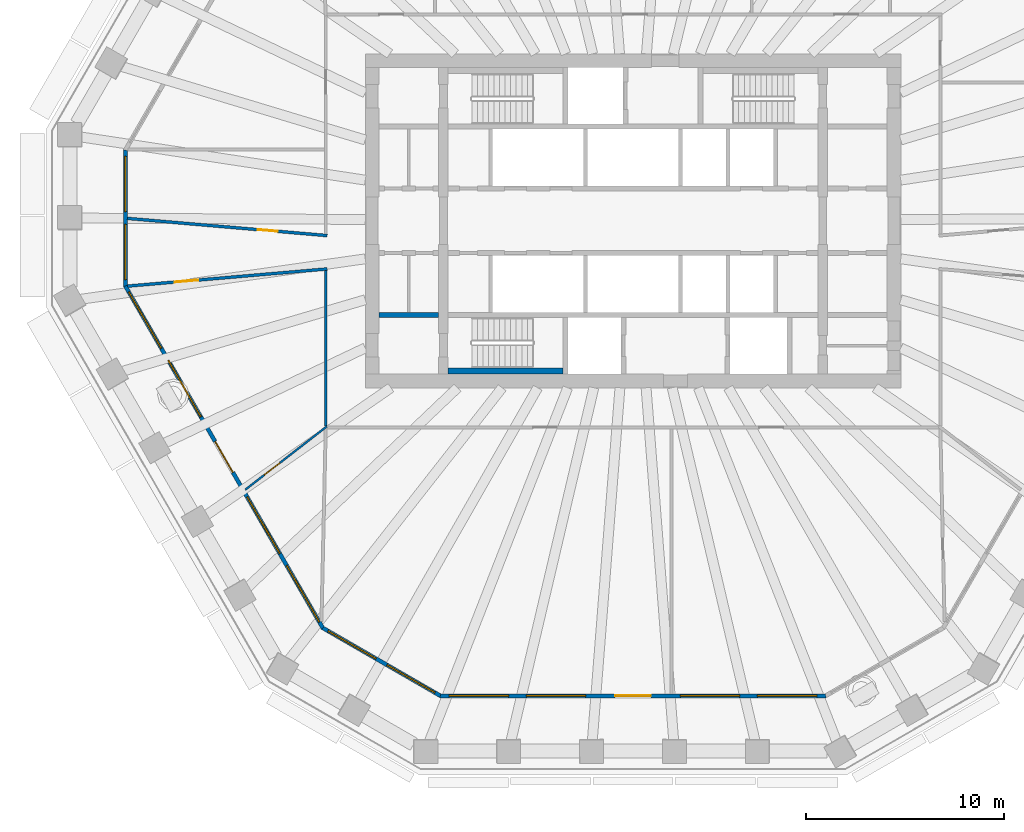
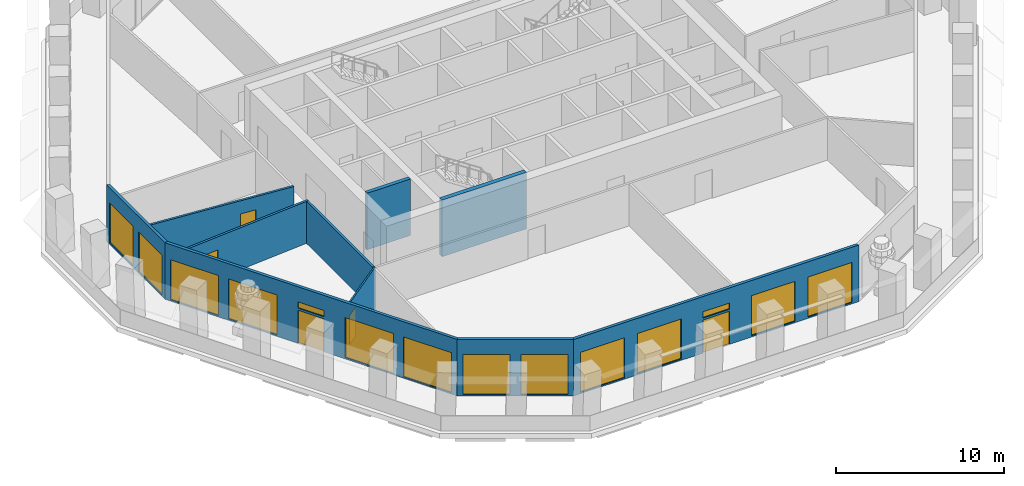
# One storey, part 3 of 12: 14 windows, 10 walls, 5 doors, 19 openings.
"""IFC4 building model written with IfcOpenShell, lengths in metres."""

from ifc_helpers import new_model, si_unit, direction, frame, frame_2d, origin, place, context, subcontext, project, spatial, polyline, rectangle, outline, extrude, material, layer, layer_set, type_object, element, fill, save


model = new_model("IFC4")

# Units and contexts
model_context = context("Model", 3, precision=1e-05, world=origin(), true_north=direction((0.0, 1.0)))
body_context = subcontext(model_context, "Body", "Model", "MODEL_VIEW")
ifc_project = project(units=[si_unit("LENGTHUNIT", "METRE"), si_unit("AREAUNIT", "SQUARE_METRE"), si_unit("VOLUMEUNIT", "CUBIC_METRE"), si_unit("PLANEANGLEUNIT", "RADIAN"), si_unit("MASSUNIT", "GRAM", prefix="KILO")], contexts=[model_context])

# Site, building, storey
site_placement = place(None, origin())
site = spatial("IfcSite", under=ifc_project, at=site_placement, CompositionType="ELEMENT")
building_placement = place(site_placement, origin())
building = spatial("IfcBuilding", under=site, at=building_placement, Name="Frailejon Research Tower", CompositionType="ELEMENT")
storey_placement = place(building_placement, frame((0.0, 0.0, 149.60009765625)))
storey = spatial("IfcBuildingStorey", under=building, at=storey_placement, Name="L32", CompositionType="ELEMENT", Elevation=149.60009765625)

# Wall
ifc_material_1 = material(Name="Gypsum board and masonry partition", Category="masonry")
ifc_layer_1 = layer(ifc_material_1, 0.14990234375)
ifc_layer_set_1 = layer_set([ifc_layer_1], Name="Corridor wall EI 60, gypsum on steel studs 150")
wall_type_1 = type_object("IfcWallType", Name="Corridor wall EI 60, gypsum on steel studs 150", PredefinedType="PARTITIONING", material=ifc_layer_set_1)
wall_1_placement = place(storey_placement, frame((-15.550048828125, -10.375, 0.0), z_axis=(0.0, 0.0, 1.0), x_axis=(0.0, 1.0, 0.0)))
element("IfcWall", 1, at=wall_1_placement, inside=storey, type_object=wall_type_1, Name="T:IW:L32:004", PredefinedType="PARTITIONING", context=body_context, shape_type="SweptSolid", body=[
    extrude(rectangle(XDim=7.856201171875, YDim=0.14990234375, at=frame_2d((3.92822265625, 0.0))), origin(), (0.0, 0.0, 1.0), 3.0498046875),
])

# Wall, opening, door
wall_2_placement = place(storey_placement, frame((-25.592529296875, 0.12109375, 0.0), z_axis=(0.0, 0.0, 1.0), x_axis=(0.99631178891, -0.085806871974, 0.0)))
wall_2 = element("IfcWall", 2, at=wall_2_placement, inside=storey, type_object=wall_type_1, Name="T:IW:L32:007", PredefinedType="PARTITIONING", context=body_context, shape_type="SweptSolid", body=[
    extrude(rectangle(XDim=10.154541015625, YDim=0.14990234375, at=frame_2d((5.0771484375, 0.0))), origin(), (0.0, 0.0, 1.0), 3.0498046875),
])
opening_1_placement = place(wall_2_placement, frame((6.635009765625, 0.0, 0.0)))
opening_1 = element("IfcOpeningElement", 3, at=opening_1_placement, cuts=wall_2, Name="Opening D1714", PredefinedType="OPENING", context=body_context, shape_type="SweptSolid", body=[
    extrude(rectangle(XDim=1.0, YDim=2.10009765625, at=frame_2d((0.5, 1.050048828125))), frame((0.0, 0.0849609375, 0.0), z_axis=(0.0, -1.0, 0.0), x_axis=(1.0, 0.0, 0.0)), (0.0, 0.0, 1.0), 0.169921875),
])
ifc_material_2 = material(Name="Timber door leaf", Category="wood")
door_type_1 = type_object("IfcDoorType", Name="Door single leaf, timber, steel frame 1000", OperationType="NOTDEFINED", PredefinedType="DOOR", material=ifc_material_2)
door_1_placement = place(opening_1_placement, origin())
door_1 = element("IfcDoor", 4, at=door_1_placement, inside=storey, type_object=door_type_1, Name="D1714", OperationType="SINGLE_SWING_RIGHT", OverallHeight=2.10009765625, OverallWidth=1.0, PredefinedType="DOOR", context=body_context, shape_type="SweptSolid", body=[
    extrude(rectangle(XDim=1.0, YDim=2.10009765625, at=frame_2d((0.5, 1.050048828125))), frame((0.0, 0.02490234375, 0.0), z_axis=(0.0, -1.0, 0.0), x_axis=(1.0, 0.0, 0.0)), (0.0, 0.0, 1.0), 0.050048828125),
])
fill(opening_1, door_1)

wall_3_placement = place(storey_placement, frame((-25.572509765625, -3.306884765625, 0.0), z_axis=(0.0, 0.0, 1.0), x_axis=(0.99631166079, 0.085808359585, 0.0)))
wall_3 = element("IfcWall", 5, at=wall_3_placement, inside=storey, type_object=wall_type_1, Name="T:IW:L32:008", PredefinedType="PARTITIONING", context=body_context, shape_type="SweptSolid", body=[
    extrude(rectangle(XDim=10.134521484375, YDim=0.14990234375, at=frame_2d((5.0673828125, 0.0))), origin(), (0.0, 0.0, 1.0), 3.0498046875),
])
opening_2_placement = place(wall_3_placement, frame((2.389892578125, 0.0, 0.0)))
opening_2 = element("IfcOpeningElement", 6, at=opening_2_placement, cuts=wall_3, Name="Opening D1715", PredefinedType="OPENING", context=body_context, shape_type="SweptSolid", body=[
    extrude(rectangle(XDim=1.199951171875, YDim=2.10009765625, at=frame_2d((0.60009765625, 1.050048828125))), frame((0.0, 0.0849609375, 0.0), z_axis=(0.0, -1.0, 0.0), x_axis=(1.0, 0.0, 0.0)), (0.0, 0.0, 1.0), 0.169921875),
])
ifc_material_3 = material(Name="Timber door leaf", Category="wood")
door_type_2 = type_object("IfcDoorType", Name="Door single leaf, timber, steel frame 1200", OperationType="NOTDEFINED", PredefinedType="DOOR", material=ifc_material_3)
door_2_placement = place(opening_2_placement, origin())
door_2 = element("IfcDoor", 7, at=door_2_placement, inside=storey, type_object=door_type_2, Name="D1715", OperationType="DOUBLE_DOOR_SINGLE_SWING", OverallHeight=2.10009765625, OverallWidth=1.199951171875, PredefinedType="DOOR", context=body_context, shape_type="SweptSolid", body=[
    extrude(rectangle(XDim=1.199951171875, YDim=2.10009765625, at=frame_2d((0.60009765625, 1.050048828125))), frame((0.0, 0.02490234375, 0.0), z_axis=(0.0, -1.0, 0.0), x_axis=(1.0, 0.0, 0.0)), (0.0, 0.0, 1.0), 0.050048828125),
])
fill(opening_2, door_2)

ifc_material_4 = material(Name="Gypsum board and masonry partition", Category="masonry")
ifc_layer_2 = layer(ifc_material_4, 0.10009765625)
ifc_layer_set_2 = layer_set([ifc_layer_2], Name="Partition, gypsum on steel studs 100")
wall_type_2 = type_object("IfcWallType", Name="Partition, gypsum on steel studs 100", PredefinedType="PARTITIONING", material=ifc_layer_set_2)
wall_4_placement = place(storey_placement, frame((-19.62353515625, -13.611083984375, 0.0), z_axis=(0.0, 0.0, 1.0), x_axis=(0.790035268908, 0.613061394871, 0.0)))
wall_4 = element("IfcWall", 8, at=wall_4_placement, inside=storey, type_object=wall_type_2, Name="T:IW:L32:021", PredefinedType="PARTITIONING", context=body_context, shape_type="SweptSolid", body=[
    extrude(rectangle(XDim=5.231201171875, YDim=0.10009765625, at=frame_2d((2.61572265625, 0.0))), origin(), (0.0, 0.0, 1.0), 3.0498046875),
])
opening_3_placement = place(wall_4_placement, frame((1.214111328125, 0.0, 0.0)))
opening_3 = element("IfcOpeningElement", 9, at=opening_3_placement, cuts=wall_4, Name="Opening D1716", PredefinedType="OPENING", context=body_context, shape_type="SweptSolid", body=[
    extrude(rectangle(XDim=1.0, YDim=2.10009765625, at=frame_2d((0.5, 1.050048828125))), frame((0.0, 0.06005859375, 0.0), z_axis=(0.0, -1.0, 0.0), x_axis=(1.0, 0.0, 0.0)), (0.0, 0.0, 1.0), 0.1201171875),
])
door_3_placement = place(opening_3_placement, origin())
door_3 = element("IfcDoor", 10, at=door_3_placement, inside=storey, type_object=door_type_1, Name="D1716", OperationType="SINGLE_SWING_RIGHT", OverallHeight=2.10009765625, OverallWidth=1.0, PredefinedType="DOOR", context=body_context, shape_type="SweptSolid", body=[
    extrude(rectangle(XDim=1.0, YDim=2.10009765625, at=frame_2d((0.5, 1.050048828125))), frame((0.0, 0.02490234375, 0.0), z_axis=(0.0, -1.0, 0.0), x_axis=(1.0, 0.0, 0.0)), (0.0, 0.0, 1.0), 0.050048828125),
])
fill(opening_3, door_3)

# Walls
ifc_material_5 = material(Name="Concrete C60/75", Category="concrete")
ifc_layer_3 = layer(ifc_material_5, 0.25)
ifc_layer_set_3 = layer_set([ifc_layer_3], Name="Shaft wall 250 C60/75")
wall_type_3 = type_object("IfcWallType", Name="Shaft wall 250 C60/75", PredefinedType="SOLIDWALL", material=ifc_layer_set_3)
wall_5_placement = place(storey_placement, frame((-12.85009765625, -4.77490234375, 0.0), z_axis=(0.0, 0.0, 1.0), x_axis=(1.0, 0.0, 0.0)))
element("IfcWall", 11, at=wall_5_placement, inside=storey, type_object=wall_type_3, Name="Shaft wall", PredefinedType="SOLIDWALL", context=body_context, shape_type="SweptSolid", body=[
    extrude(rectangle(XDim=3.0, YDim=0.25, at=frame_2d((1.5, 0.0))), origin(), (0.0, 0.0, 1.0), 4.099853515625),
])
ifc_material_6 = material(Name="Concrete C60/75", Category="concrete")
ifc_layer_4 = layer(ifc_material_6, 0.300048828125)
ifc_layer_set_4 = layer_set([ifc_layer_4], Name="Shaft wall 300 C60/75")
wall_type_4 = type_object("IfcWallType", Name="Shaft wall 300 C60/75", PredefinedType="SOLIDWALL", material=ifc_layer_set_4)
wall_6_placement = place(storey_placement, frame((-9.35009765625, -7.60009765625, 0.0), z_axis=(0.0, 0.0, 1.0), x_axis=(1.0, 0.0, 0.0)))
element("IfcWall", 12, at=wall_6_placement, inside=storey, type_object=wall_type_4, Name="Shaft wall", PredefinedType="SOLIDWALL", context=body_context, shape_type="SweptSolid", body=[
    extrude(rectangle(XDim=5.800048828125, YDim=0.300048828125, at=frame_2d((2.89990234375, 0.0))), origin(), (0.0, 0.0, 1.0), 4.099853515625),
])

# Wall, openings, windows
ifc_material_7 = material(Name="Concrete C40/50 precast window wall panel", Category="concrete")
ifc_layer_5 = layer(ifc_material_7, 0.199951171875)
ifc_layer_set_5 = layer_set([ifc_layer_5], Name="Window wall 200")
wall_type_5 = type_object("IfcWallType", Name="Window wall 200", PredefinedType="SOLIDWALL", material=ifc_layer_set_5)
wall_7_placement = place(storey_placement, frame((-25.692626953125, 3.57568359375, 0.0), z_axis=(0.0, 0.0, 1.0), x_axis=(0.0, -1.0, 0.0)))
wall_7 = element("IfcWall", 13, at=wall_7_placement, inside=storey, type_object=wall_type_5, Name="Exterior wall L32", PredefinedType="SOLIDWALL", context=body_context, shape_type="SweptSolid", body=[
    extrude(outline(polyline([(-0.02685546875, -0.10009765625), (1.1279296875, -0.10009765625), (2.28271484375, -0.10009765625), (3.4375, -0.10009765625), (4.592041015625, -0.10009765625), (5.746826171875, -0.10009765625), (6.901611328125, -0.10009765625), (6.847900390625, 0.10009765625), (5.7109375, 0.10009765625), (4.57421875, 0.10009765625), (3.4375, 0.10009765625), (2.300537109375, 0.10009765625), (1.16357421875, 0.10009765625), (0.02685546875, 0.10009765625), (-0.02685546875, -0.10009765625)])), origin(), (0.0, 0.0, 1.0), 4.099853515625),
])
opening_4_placement = place(wall_7_placement, frame((0.318603515625, 0.0, 0.10009765625)))
opening_4 = element("IfcOpeningElement", 14, at=opening_4_placement, cuts=wall_7, Name="Opening W3", PredefinedType="OPENING", context=body_context, shape_type="SweptSolid", body=[
    extrude(rectangle(XDim=2.800048828125, YDim=2.89990234375, at=frame_2d((1.39990234375, 1.449951171875))), frame((0.0, 0.10986328125, 0.0), z_axis=(0.0, -1.0, 0.0), x_axis=(1.0, 0.0, 0.0)), (0.0, 0.0, 1.0), 0.219970703125),
])
opening_5_placement = place(wall_7_placement, frame((3.756103515625, 0.0, 0.10009765625)))
opening_5 = element("IfcOpeningElement", 15, at=opening_5_placement, cuts=wall_7, Name="Opening W3", PredefinedType="OPENING", context=body_context, shape_type="SweptSolid", body=[
    extrude(rectangle(XDim=2.800048828125, YDim=2.89990234375, at=frame_2d((1.39990234375, 1.449951171875))), frame((0.0, 0.10986328125, 0.0), z_axis=(0.0, -1.0, 0.0), x_axis=(1.0, 0.0, 0.0)), (0.0, 0.0, 1.0), 0.219970703125),
])
ifc_material_8 = material(Name="Aluminium framed double glazing", Category="aluminium")
window_type_1 = type_object("IfcWindowType", Name="Window 2800x2900", PartitioningType="SINGLE_PANEL", PredefinedType="WINDOW", material=ifc_material_8)
window_1_placement = place(opening_4_placement, origin())
window_1 = element("IfcWindow", 16, at=window_1_placement, inside=storey, type_object=window_type_1, Name="Window L32", OverallHeight=2.89990234375, OverallWidth=2.800048828125, PartitioningType="SINGLE_PANEL", PredefinedType="WINDOW", context=body_context, shape_type="SweptSolid", body=[
    extrude(rectangle(XDim=2.800048828125, YDim=2.89990234375, at=frame_2d((1.39990234375, 1.449951171875))), frame((0.0, 0.030029296875, 0.0), z_axis=(0.0, -1.0, 0.0), x_axis=(1.0, 0.0, 0.0)), (0.0, 0.0, 1.0), 0.06005859375),
])
fill(opening_4, window_1)
window_2_placement = place(opening_5_placement, origin())
window_2 = element("IfcWindow", 17, at=window_2_placement, inside=storey, type_object=window_type_1, Name="Window L32", OverallHeight=2.89990234375, OverallWidth=2.800048828125, PartitioningType="SINGLE_PANEL", PredefinedType="WINDOW", context=body_context, shape_type="SweptSolid", body=[
    extrude(rectangle(XDim=2.800048828125, YDim=2.89990234375, at=frame_2d((1.39990234375, 1.449951171875))), frame((0.0, 0.030029296875, 0.0), z_axis=(0.0, -1.0, 0.0), x_axis=(1.0, 0.0, 0.0)), (0.0, 0.0, 1.0), 0.06005859375),
])
fill(opening_5, window_2)

# Wall, openings, door, windows
wall_8_placement = place(storey_placement, frame((-25.692626953125, -3.299072265625, 0.0), z_axis=(0.0, 0.0, 1.0), x_axis=(0.499997834957, -0.866026653769, 0.0)))
wall_8 = element("IfcWall", 18, at=wall_8_placement, inside=storey, type_object=wall_type_5, Name="Exterior wall L32", PredefinedType="SOLIDWALL", context=body_context, shape_type="SweptSolid", body=[
    extrude(outline(polyline([(-0.02685546875, -0.10009765625), (1.027587890625, -0.10009765625), (2.081787109375, -0.10009765625), (3.13623046875, -0.10009765625), (4.1904296875, -0.10009765625), (5.244873046875, -0.10009765625), (6.299072265625, -0.10009765625), (7.353515625, -0.10009765625), (8.40771484375, -0.10009765625), (9.462158203125, -0.10009765625), (10.516357421875, -0.10009765625), (11.57080078125, -0.10009765625), (12.625, -0.10009765625), (13.679443359375, -0.10009765625), (14.733642578125, -0.10009765625), (15.7880859375, -0.10009765625), (16.84228515625, -0.10009765625), (17.896728515625, -0.10009765625), (18.950927734375, -0.10009765625), (20.00537109375, -0.10009765625), (19.95166015625, 0.10009765625), (18.903076171875, 0.10009765625), (17.854248046875, 0.10009765625), (16.8056640625, 0.10009765625), (15.757080078125, 0.10009765625), (14.708251953125, 0.10009765625), (13.65966796875, 0.10009765625), (12.61083984375, 0.10009765625), (11.562255859375, 0.10009765625), (10.513671875, 0.10009765625), (9.46484375, 0.10009765625), (8.416259765625, 0.10009765625), (7.36767578125, 0.10009765625), (6.31884765625, 0.10009765625), (5.270263671875, 0.10009765625), (4.221435546875, 0.10009765625), (3.1728515625, 0.10009765625), (2.124267578125, 0.10009765625), (1.075439453125, 0.10009765625), (0.02685546875, 0.10009765625), (-0.02685546875, -0.10009765625)])), origin(), (0.0, 0.0, 1.0), 4.099853515625),
])
opening_6_placement = place(wall_8_placement, frame((0.347900390625, 0.0, 0.10009765625)))
opening_6 = element("IfcOpeningElement", 19, at=opening_6_placement, cuts=wall_8, Name="Opening W5", PredefinedType="OPENING", context=body_context, shape_type="SweptSolid", body=[
    extrude(rectangle(XDim=3.300048828125, YDim=2.89990234375, at=frame_2d((1.64990234375, 1.449951171875))), frame((0.0, 0.10986328125, 0.0), z_axis=(0.0, -1.0, 0.0), x_axis=(1.0, 0.0, 0.0)), (0.0, 0.0, 1.0), 0.219970703125),
])
opening_7_placement = place(wall_8_placement, frame((4.343505859375, 0.0, 0.10009765625)))
opening_7 = element("IfcOpeningElement", 20, at=opening_7_placement, cuts=wall_8, Name="Opening W5", PredefinedType="OPENING", context=body_context, shape_type="SweptSolid", body=[
    extrude(rectangle(XDim=3.300048828125, YDim=2.89990234375, at=frame_2d((1.64990234375, 1.449951171875))), frame((0.0, 0.10986328125, 0.0), z_axis=(0.0, -1.0, 0.0), x_axis=(1.0, 0.0, 0.0)), (0.0, 0.0, 1.0), 0.219970703125),
])
opening_8_placement = place(wall_8_placement, frame((9.08935546875, 0.0, 0.0)))
opening_8 = element("IfcOpeningElement", 21, at=opening_8_placement, cuts=wall_8, Name="Opening LG32-4", PredefinedType="OPENING", context=body_context, shape_type="SweptSolid", body=[
    extrude(rectangle(XDim=1.800048828125, YDim=2.39990234375, at=frame_2d((0.89990234375, 1.199951171875))), frame((0.0, 0.10986328125, 0.0), z_axis=(0.0, -1.0, 0.0), x_axis=(1.0, 0.0, 0.0)), (0.0, 0.0, 1.0), 0.219970703125),
])
opening_9_placement = place(wall_8_placement, frame((9.08935546875, 0.0, 2.550048828125)))
opening_9 = element("IfcOpeningElement", 22, at=opening_9_placement, cuts=wall_8, Name="Opening W1", PredefinedType="OPENING", context=body_context, shape_type="SweptSolid", body=[
    extrude(rectangle(XDim=1.800048828125, YDim=0.449951171875, at=frame_2d((0.89990234375, 0.22509765625))), frame((0.0, 0.10986328125, 0.0), z_axis=(0.0, -1.0, 0.0), x_axis=(1.0, 0.0, 0.0)), (0.0, 0.0, 1.0), 0.219970703125),
])
opening_10_placement = place(wall_8_placement, frame((12.3349609375, 0.0, 0.10009765625)))
opening_10 = element("IfcOpeningElement", 23, at=opening_10_placement, cuts=wall_8, Name="Opening W5", PredefinedType="OPENING", context=body_context, shape_type="SweptSolid", body=[
    extrude(rectangle(XDim=3.300048828125, YDim=2.89990234375, at=frame_2d((1.64990234375, 1.449951171875))), frame((0.0, 0.10986328125, 0.0), z_axis=(0.0, -1.0, 0.0), x_axis=(1.0, 0.0, 0.0)), (0.0, 0.0, 1.0), 0.219970703125),
])
opening_11_placement = place(wall_8_placement, frame((16.330810546875, 0.0, 0.10009765625)))
opening_11 = element("IfcOpeningElement", 24, at=opening_11_placement, cuts=wall_8, Name="Opening W5", PredefinedType="OPENING", context=body_context, shape_type="SweptSolid", body=[
    extrude(rectangle(XDim=3.300048828125, YDim=2.89990234375, at=frame_2d((1.64990234375, 1.449951171875))), frame((0.0, 0.10986328125, 0.0), z_axis=(0.0, -1.0, 0.0), x_axis=(1.0, 0.0, 0.0)), (0.0, 0.0, 1.0), 0.219970703125),
])
ifc_material_9 = material(Name="Aluminium framed glazed door leaf", Category="aluminium")
door_type_3 = type_object("IfcDoorType", Name="Loggia door 1800x2400", OperationType="DOUBLE_DOOR_SINGLE_SWING", PredefinedType="DOOR", material=ifc_material_9)
door_4_placement = place(opening_8_placement, origin())
door_4 = element("IfcDoor", 25, at=door_4_placement, inside=storey, type_object=door_type_3, Name="Door LG32-4", OperationType="DOUBLE_DOOR_SINGLE_SWING", OverallHeight=2.39990234375, OverallWidth=1.800048828125, PredefinedType="DOOR", context=body_context, shape_type="SweptSolid", body=[
    extrude(rectangle(XDim=1.800048828125, YDim=2.39990234375, at=frame_2d((0.89990234375, 1.199951171875))), frame((0.0, 0.02490234375, 0.0), z_axis=(0.0, -1.0, 0.0), x_axis=(1.0, 0.0, 0.0)), (0.0, 0.0, 1.0), 0.050048828125),
])
fill(opening_8, door_4)
ifc_material_10 = material(Name="Aluminium framed double glazing", Category="aluminium")
window_type_2 = type_object("IfcWindowType", Name="Window 1800x450", PartitioningType="SINGLE_PANEL", PredefinedType="WINDOW", material=ifc_material_10)
window_3_placement = place(opening_9_placement, origin())
window_3 = element("IfcWindow", 26, at=window_3_placement, inside=storey, type_object=window_type_2, Name="Window L32", OverallHeight=0.449951171875, OverallWidth=1.800048828125, PartitioningType="SINGLE_PANEL", PredefinedType="WINDOW", context=body_context, shape_type="SweptSolid", body=[
    extrude(rectangle(XDim=1.800048828125, YDim=0.449951171875, at=frame_2d((0.89990234375, 0.22509765625))), frame((0.0, 0.030029296875, 0.0), z_axis=(0.0, -1.0, 0.0), x_axis=(1.0, 0.0, 0.0)), (0.0, 0.0, 1.0), 0.06005859375),
])
fill(opening_9, window_3)
ifc_material_11 = material(Name="Aluminium framed double glazing", Category="aluminium")
window_type_3 = type_object("IfcWindowType", Name="Window 3300x2900", PartitioningType="SINGLE_PANEL", PredefinedType="WINDOW", material=ifc_material_11)
window_4_placement = place(opening_6_placement, origin())
window_4 = element("IfcWindow", 27, at=window_4_placement, inside=storey, type_object=window_type_3, Name="Window L32", OverallHeight=2.89990234375, OverallWidth=3.300048828125, PartitioningType="SINGLE_PANEL", PredefinedType="WINDOW", context=body_context, shape_type="SweptSolid", body=[
    extrude(rectangle(XDim=3.300048828125, YDim=2.89990234375, at=frame_2d((1.64990234375, 1.449951171875))), frame((0.0, 0.030029296875, 0.0), z_axis=(0.0, -1.0, 0.0), x_axis=(1.0, 0.0, 0.0)), (0.0, 0.0, 1.0), 0.06005859375),
])
fill(opening_6, window_4)
window_5_placement = place(opening_7_placement, origin())
window_5 = element("IfcWindow", 28, at=window_5_placement, inside=storey, type_object=window_type_3, Name="Window L32", OverallHeight=2.89990234375, OverallWidth=3.300048828125, PartitioningType="SINGLE_PANEL", PredefinedType="WINDOW", context=body_context, shape_type="SweptSolid", body=[
    extrude(rectangle(XDim=3.300048828125, YDim=2.89990234375, at=frame_2d((1.64990234375, 1.449951171875))), frame((0.0, 0.030029296875, 0.0), z_axis=(0.0, -1.0, 0.0), x_axis=(1.0, 0.0, 0.0)), (0.0, 0.0, 1.0), 0.06005859375),
])
fill(opening_7, window_5)
window_6_placement = place(opening_10_placement, origin())
window_6 = element("IfcWindow", 29, at=window_6_placement, inside=storey, type_object=window_type_3, Name="Window L32", OverallHeight=2.89990234375, OverallWidth=3.300048828125, PartitioningType="SINGLE_PANEL", PredefinedType="WINDOW", context=body_context, shape_type="SweptSolid", body=[
    extrude(rectangle(XDim=3.300048828125, YDim=2.89990234375, at=frame_2d((1.64990234375, 1.449951171875))), frame((0.0, 0.030029296875, 0.0), z_axis=(0.0, -1.0, 0.0), x_axis=(1.0, 0.0, 0.0)), (0.0, 0.0, 1.0), 0.06005859375),
])
fill(opening_10, window_6)
window_7_placement = place(opening_11_placement, origin())
window_7 = element("IfcWindow", 30, at=window_7_placement, inside=storey, type_object=window_type_3, Name="Window L32", OverallHeight=2.89990234375, OverallWidth=3.300048828125, PartitioningType="SINGLE_PANEL", PredefinedType="WINDOW", context=body_context, shape_type="SweptSolid", body=[
    extrude(rectangle(XDim=3.300048828125, YDim=2.89990234375, at=frame_2d((1.64990234375, 1.449951171875))), frame((0.0, 0.030029296875, 0.0), z_axis=(0.0, -1.0, 0.0), x_axis=(1.0, 0.0, 0.0)), (0.0, 0.0, 1.0), 0.06005859375),
])
fill(opening_11, window_7)

# Wall, openings, windows
wall_9_placement = place(storey_placement, frame((-15.703369140625, -20.60107421875, 0.0), z_axis=(0.0, 0.0, 1.0), x_axis=(0.866029458321, -0.49999297727, 0.0)))
wall_9 = element("IfcWall", 31, at=wall_9_placement, inside=storey, type_object=wall_type_5, Name="Exterior wall L32", PredefinedType="SOLIDWALL", context=body_context, shape_type="SweptSolid", body=[
    extrude(outline(polyline([(-0.02685546875, -0.10009765625), (1.1279296875, -0.10009765625), (2.282470703125, -0.10009765625), (3.437255859375, -0.10009765625), (4.592041015625, -0.10009765625), (5.74658203125, -0.10009765625), (6.9013671875, -0.10009765625), (6.84765625, 0.10009765625), (5.7109375, 0.10009765625), (4.573974609375, 0.10009765625), (3.437255859375, 0.10009765625), (2.300537109375, 0.10009765625), (1.16357421875, 0.10009765625), (0.02685546875, 0.10009765625), (-0.02685546875, -0.10009765625)])), origin(), (0.0, 0.0, 1.0), 4.099853515625),
])
opening_12_placement = place(wall_9_placement, frame((0.318603515625, 0.0, 0.10009765625)))
opening_12 = element("IfcOpeningElement", 32, at=opening_12_placement, cuts=wall_9, Name="Opening W3", PredefinedType="OPENING", context=body_context, shape_type="SweptSolid", body=[
    extrude(rectangle(XDim=2.800048828125, YDim=2.89990234375, at=frame_2d((1.39990234375, 1.449951171875))), frame((0.0, 0.10986328125, 0.0), z_axis=(0.0, -1.0, 0.0), x_axis=(1.0, 0.0, 0.0)), (0.0, 0.0, 1.0), 0.219970703125),
])
opening_13_placement = place(wall_9_placement, frame((3.756103515625, 0.0, 0.10009765625)))
opening_13 = element("IfcOpeningElement", 33, at=opening_13_placement, cuts=wall_9, Name="Opening W3", PredefinedType="OPENING", context=body_context, shape_type="SweptSolid", body=[
    extrude(rectangle(XDim=2.800048828125, YDim=2.89990234375, at=frame_2d((1.39990234375, 1.449951171875))), frame((0.0, 0.10986328125, 0.0), z_axis=(0.0, -1.0, 0.0), x_axis=(1.0, 0.0, 0.0)), (0.0, 0.0, 1.0), 0.219970703125),
])
window_8_placement = place(opening_12_placement, origin())
window_8 = element("IfcWindow", 34, at=window_8_placement, inside=storey, type_object=window_type_1, Name="Window L32", OverallHeight=2.89990234375, OverallWidth=2.800048828125, PartitioningType="SINGLE_PANEL", PredefinedType="WINDOW", context=body_context, shape_type="SweptSolid", body=[
    extrude(rectangle(XDim=2.800048828125, YDim=2.89990234375, at=frame_2d((1.39990234375, 1.449951171875))), frame((0.0, 0.030029296875, 0.0), z_axis=(0.0, -1.0, 0.0), x_axis=(1.0, 0.0, 0.0)), (0.0, 0.0, 1.0), 0.06005859375),
])
fill(opening_12, window_8)
window_9_placement = place(opening_13_placement, origin())
window_9 = element("IfcWindow", 35, at=window_9_placement, inside=storey, type_object=window_type_1, Name="Window L32", OverallHeight=2.89990234375, OverallWidth=2.800048828125, PartitioningType="SINGLE_PANEL", PredefinedType="WINDOW", context=body_context, shape_type="SweptSolid", body=[
    extrude(rectangle(XDim=2.800048828125, YDim=2.89990234375, at=frame_2d((1.39990234375, 1.449951171875))), frame((0.0, 0.030029296875, 0.0), z_axis=(0.0, -1.0, 0.0), x_axis=(1.0, 0.0, 0.0)), (0.0, 0.0, 1.0), 0.06005859375),
])
fill(opening_13, window_9)

# Wall, openings, door, windows
wall_10_placement = place(storey_placement, frame((-9.749755859375, -24.038330078125, 0.0), z_axis=(0.0, 0.0, 1.0), x_axis=(1.0, 0.0, 0.0)))
wall_10 = element("IfcWall", 36, at=wall_10_placement, inside=storey, type_object=wall_type_5, Name="Exterior wall L32", PredefinedType="SOLIDWALL", context=body_context, shape_type="SweptSolid", body=[
    extrude(outline(polyline([(-0.02685546875, -0.10009765625), (1.002197265625, -0.10009765625), (2.031494140625, -0.10009765625), (3.060546875, -0.10009765625), (4.089599609375, -0.10009765625), (5.11865234375, -0.10009765625), (6.14794921875, -0.10009765625), (7.177001953125, -0.10009765625), (8.2060546875, -0.10009765625), (9.235107421875, -0.10009765625), (10.264404296875, -0.10009765625), (11.29345703125, -0.10009765625), (12.322509765625, -0.10009765625), (13.3515625, -0.10009765625), (14.380859375, -0.10009765625), (15.409912109375, -0.10009765625), (16.43896484375, -0.10009765625), (17.468017578125, -0.10009765625), (18.497314453125, -0.10009765625), (19.5263671875, -0.10009765625), (19.47265625, 0.10009765625), (18.44921875, 0.10009765625), (17.42578125, 0.10009765625), (16.40234375, 0.10009765625), (15.37890625, 0.10009765625), (14.355224609375, 0.10009765625), (13.331787109375, 0.10009765625), (12.308349609375, 0.10009765625), (11.284912109375, 0.10009765625), (10.261474609375, 0.10009765625), (9.238037109375, 0.10009765625), (8.214599609375, 0.10009765625), (7.191162109375, 0.10009765625), (6.167724609375, 0.10009765625), (5.144287109375, 0.10009765625), (4.12060546875, 0.10009765625), (3.09716796875, 0.10009765625), (2.07373046875, 0.10009765625), (1.05029296875, 0.10009765625), (0.02685546875, 0.10009765625), (-0.02685546875, -0.10009765625)])), origin(), (0.0, 0.0, 1.0), 4.099853515625),
])
opening_14_placement = place(wall_10_placement, frame((0.449951171875, 0.0, 0.10009765625)))
opening_14 = element("IfcOpeningElement", 37, at=opening_14_placement, cuts=wall_10, Name="Opening W4", PredefinedType="OPENING", context=body_context, shape_type="SweptSolid", body=[
    extrude(rectangle(XDim=3.0, YDim=2.89990234375, at=frame_2d((1.5, 1.449951171875))), frame((0.0, 0.10986328125, 0.0), z_axis=(0.0, -1.0, 0.0), x_axis=(1.0, 0.0, 0.0)), (0.0, 0.0, 1.0), 0.219970703125),
])
opening_15_placement = place(wall_10_placement, frame((4.349853515625, 0.0, 0.10009765625)))
opening_15 = element("IfcOpeningElement", 38, at=opening_15_placement, cuts=wall_10, Name="Opening W4", PredefinedType="OPENING", context=body_context, shape_type="SweptSolid", body=[
    extrude(rectangle(XDim=3.0, YDim=2.89990234375, at=frame_2d((1.5, 1.449951171875))), frame((0.0, 0.10986328125, 0.0), z_axis=(0.0, -1.0, 0.0), x_axis=(1.0, 0.0, 0.0)), (0.0, 0.0, 1.0), 0.219970703125),
])
opening_16_placement = place(wall_10_placement, frame((8.849853515625, 0.0, 0.0)))
opening_16 = element("IfcOpeningElement", 39, at=opening_16_placement, cuts=wall_10, Name="Opening LG32-5", PredefinedType="OPENING", context=body_context, shape_type="SweptSolid", body=[
    extrude(rectangle(XDim=1.800048828125, YDim=2.39990234375, at=frame_2d((0.89990234375, 1.199951171875))), frame((0.0, 0.10986328125, 0.0), z_axis=(0.0, -1.0, 0.0), x_axis=(1.0, 0.0, 0.0)), (0.0, 0.0, 1.0), 0.219970703125),
])
opening_17_placement = place(wall_10_placement, frame((8.849853515625, 0.0, 2.550048828125)))
opening_17 = element("IfcOpeningElement", 40, at=opening_17_placement, cuts=wall_10, Name="Opening W1", PredefinedType="OPENING", context=body_context, shape_type="SweptSolid", body=[
    extrude(rectangle(XDim=1.800048828125, YDim=0.449951171875, at=frame_2d((0.89990234375, 0.22509765625))), frame((0.0, 0.10986328125, 0.0), z_axis=(0.0, -1.0, 0.0), x_axis=(1.0, 0.0, 0.0)), (0.0, 0.0, 1.0), 0.219970703125),
])
opening_18_placement = place(wall_10_placement, frame((12.149658203125, 0.0, 0.10009765625)))
opening_18 = element("IfcOpeningElement", 41, at=opening_18_placement, cuts=wall_10, Name="Opening W4", PredefinedType="OPENING", context=body_context, shape_type="SweptSolid", body=[
    extrude(rectangle(XDim=3.0, YDim=2.89990234375, at=frame_2d((1.5, 1.449951171875))), frame((0.0, 0.10986328125, 0.0), z_axis=(0.0, -1.0, 0.0), x_axis=(1.0, 0.0, 0.0)), (0.0, 0.0, 1.0), 0.219970703125),
])
opening_19_placement = place(wall_10_placement, frame((16.049560546875, 0.0, 0.10009765625)))
opening_19 = element("IfcOpeningElement", 42, at=opening_19_placement, cuts=wall_10, Name="Opening W4", PredefinedType="OPENING", context=body_context, shape_type="SweptSolid", body=[
    extrude(rectangle(XDim=3.0, YDim=2.89990234375, at=frame_2d((1.5, 1.449951171875))), frame((0.0, 0.10986328125, 0.0), z_axis=(0.0, -1.0, 0.0), x_axis=(1.0, 0.0, 0.0)), (0.0, 0.0, 1.0), 0.219970703125),
])
door_5_placement = place(opening_16_placement, origin())
door_5 = element("IfcDoor", 43, at=door_5_placement, inside=storey, type_object=door_type_3, Name="Door LG32-5", OperationType="DOUBLE_DOOR_SINGLE_SWING", OverallHeight=2.39990234375, OverallWidth=1.800048828125, PredefinedType="DOOR", context=body_context, shape_type="SweptSolid", body=[
    extrude(rectangle(XDim=1.800048828125, YDim=2.39990234375, at=frame_2d((0.89990234375, 1.199951171875))), frame((0.0, 0.02490234375, 0.0), z_axis=(0.0, -1.0, 0.0), x_axis=(1.0, 0.0, 0.0)), (0.0, 0.0, 1.0), 0.050048828125),
])
fill(opening_16, door_5)
window_10_placement = place(opening_17_placement, origin())
window_10 = element("IfcWindow", 44, at=window_10_placement, inside=storey, type_object=window_type_2, Name="Window L32", OverallHeight=0.449951171875, OverallWidth=1.800048828125, PartitioningType="SINGLE_PANEL", PredefinedType="WINDOW", context=body_context, shape_type="SweptSolid", body=[
    extrude(rectangle(XDim=1.800048828125, YDim=0.449951171875, at=frame_2d((0.89990234375, 0.22509765625))), frame((0.0, 0.030029296875, 0.0), z_axis=(0.0, -1.0, 0.0), x_axis=(1.0, 0.0, 0.0)), (0.0, 0.0, 1.0), 0.06005859375),
])
fill(opening_17, window_10)
ifc_material_12 = material(Name="Aluminium framed double glazing", Category="aluminium")
window_type_4 = type_object("IfcWindowType", Name="Window 3000x2900", PartitioningType="SINGLE_PANEL", PredefinedType="WINDOW", material=ifc_material_12)
window_11_placement = place(opening_14_placement, origin())
window_11 = element("IfcWindow", 45, at=window_11_placement, inside=storey, type_object=window_type_4, Name="Window L32", OverallHeight=2.89990234375, OverallWidth=3.0, PartitioningType="SINGLE_PANEL", PredefinedType="WINDOW", context=body_context, shape_type="SweptSolid", body=[
    extrude(rectangle(XDim=3.0, YDim=2.89990234375, at=frame_2d((1.5, 1.449951171875))), frame((0.0, 0.030029296875, 0.0), z_axis=(0.0, -1.0, 0.0), x_axis=(1.0, 0.0, 0.0)), (0.0, 0.0, 1.0), 0.06005859375),
])
fill(opening_14, window_11)
window_12_placement = place(opening_15_placement, origin())
window_12 = element("IfcWindow", 46, at=window_12_placement, inside=storey, type_object=window_type_4, Name="Window L32", OverallHeight=2.89990234375, OverallWidth=3.0, PartitioningType="SINGLE_PANEL", PredefinedType="WINDOW", context=body_context, shape_type="SweptSolid", body=[
    extrude(rectangle(XDim=3.0, YDim=2.89990234375, at=frame_2d((1.5, 1.449951171875))), frame((0.0, 0.030029296875, 0.0), z_axis=(0.0, -1.0, 0.0), x_axis=(1.0, 0.0, 0.0)), (0.0, 0.0, 1.0), 0.06005859375),
])
fill(opening_15, window_12)
window_13_placement = place(opening_18_placement, origin())
window_13 = element("IfcWindow", 47, at=window_13_placement, inside=storey, type_object=window_type_4, Name="Window L32", OverallHeight=2.89990234375, OverallWidth=3.0, PartitioningType="SINGLE_PANEL", PredefinedType="WINDOW", context=body_context, shape_type="SweptSolid", body=[
    extrude(rectangle(XDim=3.0, YDim=2.89990234375, at=frame_2d((1.5, 1.449951171875))), frame((0.0, 0.030029296875, 0.0), z_axis=(0.0, -1.0, 0.0), x_axis=(1.0, 0.0, 0.0)), (0.0, 0.0, 1.0), 0.06005859375),
])
fill(opening_18, window_13)
window_14_placement = place(opening_19_placement, origin())
window_14 = element("IfcWindow", 48, at=window_14_placement, inside=storey, type_object=window_type_4, Name="Window L32", OverallHeight=2.89990234375, OverallWidth=3.0, PartitioningType="SINGLE_PANEL", PredefinedType="WINDOW", context=body_context, shape_type="SweptSolid", body=[
    extrude(rectangle(XDim=3.0, YDim=2.89990234375, at=frame_2d((1.5, 1.449951171875))), frame((0.0, 0.030029296875, 0.0), z_axis=(0.0, -1.0, 0.0), x_axis=(1.0, 0.0, 0.0)), (0.0, 0.0, 1.0), 0.06005859375),
])
fill(opening_19, window_14)

save(model, "model.ifc")
